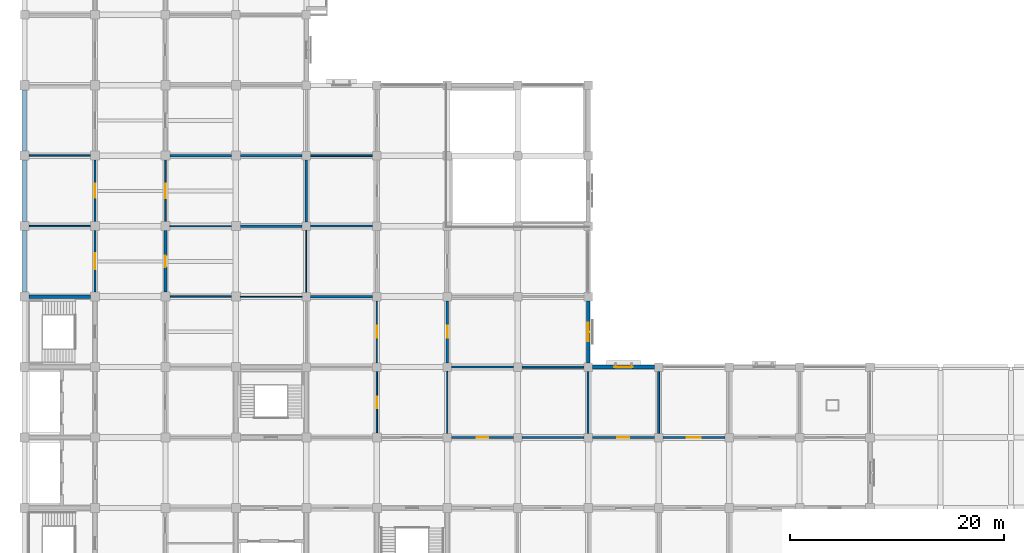
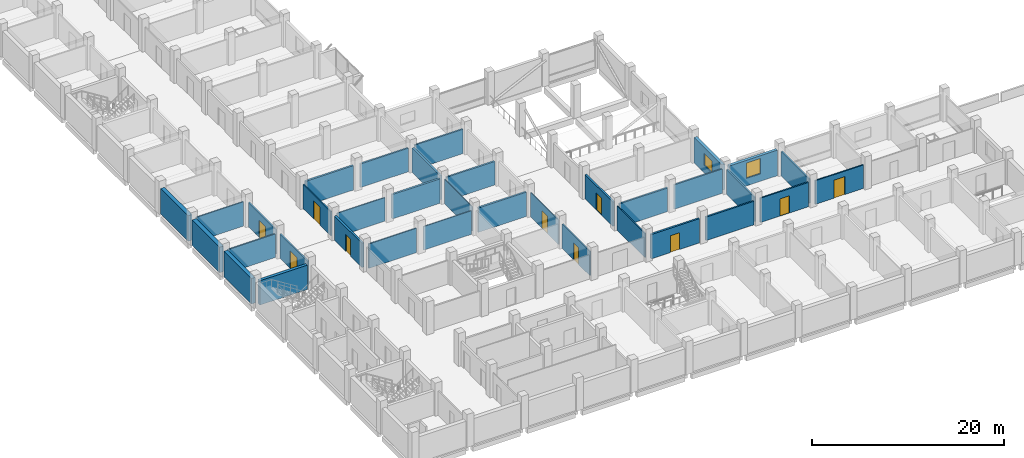
# One storey, part 19 of 30: 35 walls, 10 doors, 2 windows, 12 openings.
"""IFC4 building model written with IfcOpenShell, lengths in metres."""

import ifcopenshell
import ifcopenshell.guid

model = None  # the IFC model being written
_history = None  # IfcOwnerHistory: only IFC2X3 demands one
_inside = {}  # id of a spatial element -> (the spatial element, [elements in it])
_under = {}  # id of a project, library or spatial element -> (it, [spatial elements below it])
_declared = {}  # id of a project -> (the project, [libraries it declares])
_typed = {}  # id of a type object -> (the type object, [elements of that type])
_made_of = {}  # id of a material, layer set ... -> (it, [elements and type objects made of it])


def new_model(schema):
    """Start an empty IFC model of exactly this schema.

    Asked for "IFC4X3", IfcOpenShell would pick the latest addendum, in which some entities
    have other attributes; the version numbers below select the first issue.
    IFC2X3 requires an IfcOwnerHistory on every rooted entity: one is made here for all.
    """
    global model, _history
    if schema == "IFC4X3":
        model = ifcopenshell.file(schema_version=(4, 3, 0, 0))
    else:
        model = ifcopenshell.file(schema=schema)
    _inside.clear()
    _under.clear()
    _declared.clear()
    _typed.clear()
    _made_of.clear()
    _history = None
    if model.schema == "IFC2X3":
        org = make("IfcOrganization", Name="unknown")
        user = make(
            "IfcPersonAndOrganization",
            ThePerson=make("IfcPerson", FamilyName="unknown"),
            TheOrganization=org,
        )
        app = make(
            "IfcApplication",
            ApplicationDeveloper=org,
            Version="unknown",
            ApplicationFullName="unknown",
            ApplicationIdentifier="unknown",
        )
        _history = make(
            "IfcOwnerHistory",
            OwningUser=user,
            OwningApplication=app,
            ChangeAction="ADDED",
            CreationDate=0,
        )
    return model


def make(cls, **values):
    """One entity of the class cls with the attributes given. An attribute that is None is left unset."""
    return model.create_entity(
        cls, **{name: value for name, value in values.items() if value is not None}
    )


def rooted(cls, **values):
    """An entity with a GlobalId (a new one), such as an element, a storey or a relation."""
    return make(cls, GlobalId=ifcopenshell.guid.new(), OwnerHistory=_history, **values)


def si_unit(unit_type, name, prefix=None):
    """IfcSIUnit, for example si_unit("LENGTHUNIT", "METRE", prefix="MILLI")."""
    return make("IfcSIUnit", UnitType=unit_type, Prefix=prefix, Name=name)


def assignment(units):
    """IfcUnitAssignment: the units of a project."""
    return None if units is None else make("IfcUnitAssignment", Units=units)


def point(xyz):
    """IfcCartesianPoint."""
    return None if xyz is None else make("IfcCartesianPoint", Coordinates=xyz)


def direction(xyz):
    """IfcDirection."""
    return None if xyz is None else make("IfcDirection", DirectionRatios=xyz)


def frame(location, z_axis=None, x_axis=None):
    """IfcAxis2Placement3D, a coordinate frame: its origin and axes. An axis left out is left unset."""
    return make(
        "IfcAxis2Placement3D",
        Location=point(location),
        Axis=direction(z_axis),
        RefDirection=direction(x_axis),
    )


def frame_2d(location, x_axis=None):
    """IfcAxis2Placement2D, a coordinate frame in the plane: its origin and x axis."""
    return make(
        "IfcAxis2Placement2D", Location=point(location), RefDirection=direction(x_axis)
    )


def origin():
    """The frame at (0, 0, 0) with its axes left unset."""
    return frame((0.0, 0.0, 0.0))


def place(relative_to, where):
    """IfcLocalPlacement: puts the frame where relative to a parent placement (None: the world)."""
    return make(
        "IfcLocalPlacement", PlacementRelTo=relative_to, RelativePlacement=where
    )


def context(
    kind, dimensions, precision=None, world=None, true_north=None, identifier=None
):
    """IfcGeometricRepresentationContext, for example the 3D "Model" context."""
    return make(
        "IfcGeometricRepresentationContext",
        ContextIdentifier=identifier,
        ContextType=kind,
        CoordinateSpaceDimension=dimensions,
        Precision=precision,
        WorldCoordinateSystem=world,
        TrueNorth=true_north,
    )


def subcontext(parent, identifier, kind, view, scale=None):
    """IfcGeometricRepresentationSubContext, for example "Body" below "Model"."""
    return make(
        "IfcGeometricRepresentationSubContext",
        ContextIdentifier=identifier,
        ContextType=kind,
        ParentContext=parent,
        TargetScale=scale,
        TargetView=view,
    )


def project(units=None, contexts=None):
    """IfcProject with its units and contexts."""
    return rooted(
        "IfcProject",
        Name="project",
        RepresentationContexts=contexts,
        UnitsInContext=assignment(units),
    )


def spatial(cls, under=None, at=None, **own):
    """A site, building, storey or space (cls), placed at a placement, below another one or the project."""
    s = rooted(cls, ObjectPlacement=at, **own)
    if under is not None:
        _under.setdefault(under.id(), (under, []))[1].append(s)
    return s


def profile(cls, at=None, kind="AREA", **sizes):
    """A parametric profile (cls). Its sizes go by their IFC names, for example OverallWidth=200.0."""
    return make(cls, ProfileType=kind, Position=at, **sizes)


def rectangle(**sizes):
    """IfcRectangleProfileDef."""
    return profile("IfcRectangleProfileDef", **sizes)


def extrude(swept, where, along, depth):
    """IfcExtrudedAreaSolid: the profile swept, set in the frame where, extruded along a direction by depth."""
    return make(
        "IfcExtrudedAreaSolid",
        SweptArea=swept,
        Position=where,
        ExtrudedDirection=direction(along),
        Depth=depth,
    )


def shape(context_of_items, identifier, shape_type, items):
    """IfcShapeRepresentation: the items that make up one representation, for example the "Body"."""
    return make(
        "IfcShapeRepresentation",
        ContextOfItems=context_of_items,
        RepresentationIdentifier=identifier,
        RepresentationType=shape_type,
        Items=items,
    )


def material(Name=None, Category=None):
    """IfcMaterial."""
    return make("IfcMaterial", Name=Name, Category=Category)


def layer(
    of_material, thickness, ventilated=None, Name=None, Category=None, Priority=None
):
    """IfcMaterialLayer: one layer of a wall or slab, of a material (None: an air gap)."""
    return make(
        "IfcMaterialLayer",
        Material=of_material,
        LayerThickness=thickness,
        IsVentilated=ventilated,
        Name=Name,
        Category=Category,
        Priority=Priority,
    )


def layer_set(layers, Name=None):
    """IfcMaterialLayerSet."""
    return make("IfcMaterialLayerSet", MaterialLayers=layers, LayerSetName=Name)


def made_of(thing, what):
    """Note that an element or type object is made of a material, layer set ...; save() writes the relation."""
    if what is not None:
        _made_of.setdefault(what.id(), (what, []))[1].append(thing)
    return thing


def type_object(cls, material=None, **own):
    """A type object (cls), such as IfcWallType, which elements share."""
    return made_of(rooted(cls, **own), material)


def element(
    cls,
    number,
    at=None,
    inside=None,
    cuts=None,
    type_object=None,
    material=None,
    context=None,
    identifier="Body",
    shape_type=None,
    held_by="IfcProductDefinitionShape",
    body=None,
    shapes=None,
    **own,
):
    """One element of the class cls, such as IfcWall. Its Tag is "e" and its number.

    at: its placement. inside: the storey or other place that contains it. cuts: it is an
    opening in that element (IfcRelVoidsElement). A single representation is given by context,
    identifier, shape_type and body (its items); several are given by shapes. held_by: the class
    of the entity that holds the representations. save() writes the other relations.
    """
    e = rooted(cls, Tag="e%d" % number, ObjectPlacement=at, **own)
    if body is not None:
        shapes = [shape(context, identifier, shape_type, body)]
    if shapes is not None:
        e.Representation = make(held_by, Representations=shapes)
    if inside is not None:
        _inside.setdefault(inside.id(), (inside, []))[1].append(e)
    if cuts is not None:
        rooted(
            "IfcRelVoidsElement", RelatingBuildingElement=cuts, RelatedOpeningElement=e
        )
    if type_object is not None:
        _typed.setdefault(type_object.id(), (type_object, []))[1].append(e)
    return made_of(e, material)


def fill(opening, filler):
    """IfcRelFillsElement: the door or window that sits in an opening."""
    return rooted(
        "IfcRelFillsElement",
        RelatingOpeningElement=opening,
        RelatedBuildingElement=filler,
    )


def aggregate(whole, parts):
    """IfcRelAggregates: a whole, such as a stair, and the parts it consists of."""
    return rooted("IfcRelAggregates", RelatingObject=whole, RelatedObjects=parts)


def save(model, path):
    """Write the relations noted so far, then the file.

    IfcRelAggregates (storeys below a building ...), IfcRelContainedInSpatialStructure (elements
    in a storey), IfcRelDefinesByType, IfcRelAssociatesMaterial and IfcRelDeclares: one each for
    every whole, place, type object, material and project.
    """
    for whole, parts in _under.values():
        aggregate(whole, parts)
    for where, things in _inside.values():
        rooted(
            "IfcRelContainedInSpatialStructure",
            RelatedElements=things,
            RelatingStructure=where,
        )
    for kind, things in _typed.values():
        rooted("IfcRelDefinesByType", RelatedObjects=things, RelatingType=kind)
    for what, things in _made_of.values():
        rooted("IfcRelAssociatesMaterial", RelatedObjects=things, RelatingMaterial=what)
    for by, libraries in _declared.values():
        rooted("IfcRelDeclares", RelatingContext=by, RelatedDefinitions=libraries)
    model.write(path)


model = new_model("IFC4")

# Units and contexts
model_context = context("Model", 3, precision=1e-05, world=origin(), true_north=direction((0.0, 1.0)))
body_context = subcontext(model_context, "Body", "Model", "MODEL_VIEW")
ifc_project = project(units=[si_unit("LENGTHUNIT", "METRE"), si_unit("AREAUNIT", "SQUARE_METRE"), si_unit("VOLUMEUNIT", "CUBIC_METRE"), si_unit("PLANEANGLEUNIT", "RADIAN"), si_unit("MASSUNIT", "GRAM", prefix="KILO")], contexts=[model_context])

# Site, building, storey
site_placement = place(None, origin())
site = spatial("IfcSite", under=ifc_project, at=site_placement, CompositionType="ELEMENT")
building_placement = place(site_placement, origin())
building = spatial("IfcBuilding", under=site, at=building_placement, Name="Rusizi Kubbe Research Institute", CompositionType="ELEMENT")
storey_placement = place(building_placement, frame((0.0, 0.0, 10.199951171875)))
storey = spatial("IfcBuildingStorey", under=building, at=storey_placement, Name="L02", CompositionType="ELEMENT", Elevation=10.199951171875)

# Wall
ifc_material_1 = material(Name="Concrete C45/55", Category="concrete")
ifc_layer_1 = layer(ifc_material_1, 0.35009765625)
ifc_layer_set_1 = layer_set([ifc_layer_1], Name="Concrete C45/55")
wall_type_1 = type_object("IfcWallType", Name="CRW-01", PredefinedType="SHEAR", material=ifc_layer_set_1)
wall_1_placement = place(storey_placement, frame((0.425048828125, 33.0, 0.0), z_axis=(0.0, 0.0, 1.0), x_axis=(1.0, 0.0, 0.0)))
element("IfcWall", 1, at=wall_1_placement, inside=storey, type_object=wall_type_1, Name="Stair Core Shear Wall ST2 L02 N", PredefinedType="SHEAR", context=body_context, shape_type="SweptSolid", body=[
    extrude(rectangle(XDim=5.75, YDim=0.35009765625, at=frame_2d((2.875, 0.0))), origin(), (0.0, 0.0, 1.0), 3.10009765625),
])

# Wall, opening, window
ifc_material_2 = material(Name="Volcanic Basalt Ashlar Masonry", Category="masonry")
ifc_layer_2 = layer(ifc_material_2, 0.35498046875)
ifc_layer_set_2 = layer_set([ifc_layer_2], Name="Volcanic Basalt Ashlar Masonry")
wall_type_2 = type_object("IfcWallType", Name="EW-06", PredefinedType="SOLIDWALL", material=ifc_layer_set_2)
wall_2_placement = place(storey_placement, frame((52.800048828125, 26.800048828125, 0.0), z_axis=(0.0, 0.0, 1.0), x_axis=(0.0, 1.0, 0.0)))
wall_2 = element("IfcWall", 2, at=wall_2_placement, inside=storey, type_object=wall_type_2, Name="Ablaq Stone Exterior Wall L02 V8-4", PredefinedType="SOLIDWALL", context=body_context, shape_type="SweptSolid", body=[
    extrude(rectangle(XDim=5.800048828125, YDim=0.35498046875, at=frame_2d((2.89990234375, 0.0))), origin(), (0.0, 0.0, 1.0), 3.25),
])
opening_1_placement = place(wall_2_placement, frame((2.0400390625, 0.0, 0.949951171875)))
opening_1 = element("IfcOpeningElement", 3, at=opening_1_placement, cuts=wall_2, Name="Opening WN-22", PredefinedType="OPENING", context=body_context, shape_type="SweptSolid", body=[
    extrude(rectangle(XDim=1.719970703125, YDim=1.52001953125, at=frame_2d((0.85986328125, 0.760009765625))), frame((0.0, 0.1875, 0.0), z_axis=(0.0, -1.0, 0.0), x_axis=(1.0, 0.0, 0.0)), (0.0, 0.0, 1.0), 0.375),
])
ifc_material_3 = material(Name="Aluminium Frame and Solar-Control Double Glazing", Category="glass")
window_type_1 = type_object("IfcWindowType", Name="WN-22", PartitioningType="DOUBLE_PANEL_VERTICAL", PredefinedType="WINDOW", material=ifc_material_3)
window_1_placement = place(opening_1_placement, origin())
window_1 = element("IfcWindow", 4, at=window_1_placement, inside=storey, type_object=window_type_1, Name="Casement Window WN-22 L02", OverallHeight=1.52001953125, OverallWidth=1.719970703125, PartitioningType="DOUBLE_PANEL_VERTICAL", PredefinedType="WINDOW", context=body_context, shape_type="SweptSolid", body=[
    extrude(rectangle(XDim=1.719970703125, YDim=1.52001953125, at=frame_2d((0.85986328125, 0.760009765625))), frame((0.0, 0.030029296875, 0.0), z_axis=(0.0, -1.0, 0.0), x_axis=(1.0, 0.0, 0.0)), (0.0, 0.0, 1.0), 0.06005859375),
])
fill(opening_1, window_1)

wall_3_placement = place(storey_placement, frame((53.199951171875, 26.39990234375, 0.0), z_axis=(0.0, 0.0, 1.0), x_axis=(1.0, 0.0, 0.0)))
wall_3 = element("IfcWall", 5, at=wall_3_placement, inside=storey, type_object=wall_type_2, Name="Ablaq Stone Exterior Wall L02 H8-4", PredefinedType="SOLIDWALL", context=body_context, shape_type="SweptSolid", body=[
    extrude(rectangle(XDim=5.800048828125, YDim=0.35498046875, at=frame_2d((2.89990234375, 0.0))), origin(), (0.0, 0.0, 1.0), 3.25),
])
opening_2_placement = place(wall_3_placement, frame((2.0400390625, 0.0, 0.949951171875)))
opening_2 = element("IfcOpeningElement", 6, at=opening_2_placement, cuts=wall_3, Name="Opening WN-24", PredefinedType="OPENING", context=body_context, shape_type="SweptSolid", body=[
    extrude(rectangle(XDim=1.719970703125, YDim=1.9599609375, at=frame_2d((0.85986328125, 0.97998046875))), frame((0.0, 0.1875, 0.0), z_axis=(0.0, -1.0, 0.0), x_axis=(1.0, 0.0, 0.0)), (0.0, 0.0, 1.0), 0.375),
])
ifc_material_4 = material(Name="Aluminium Frame and Solar-Control Double Glazing", Category="glass")
window_type_2 = type_object("IfcWindowType", Name="WN-24", PartitioningType="DOUBLE_PANEL_VERTICAL", PredefinedType="WINDOW", material=ifc_material_4)
window_2_placement = place(opening_2_placement, origin())
window_2 = element("IfcWindow", 7, at=window_2_placement, inside=storey, type_object=window_type_2, Name="Casement Window WN-24 L02", OverallHeight=1.9599609375, OverallWidth=1.719970703125, PartitioningType="DOUBLE_PANEL_VERTICAL", PredefinedType="WINDOW", context=body_context, shape_type="SweptSolid", body=[
    extrude(rectangle(XDim=1.719970703125, YDim=1.9599609375, at=frame_2d((0.85986328125, 0.97998046875))), frame((0.0, 0.030029296875, 0.0), z_axis=(0.0, -1.0, 0.0), x_axis=(1.0, 0.0, 0.0)), (0.0, 0.0, 1.0), 0.06005859375),
])
fill(opening_2, window_2)

# Walls
ifc_material_5 = material(Name="Concrete Blockwork Fire Partition", Category="masonry")
ifc_layer_3 = layer(ifc_material_5, 0.22509765625)
ifc_layer_set_3 = layer_set([ifc_layer_3], Name="Concrete Blockwork Fire Partition")
wall_type_3 = type_object("IfcWallType", Name="IW-01", PredefinedType="PARTITIONING", material=ifc_layer_set_3)
wall_4_placement = place(storey_placement, frame((13.625, 46.199951171875, 0.0), z_axis=(0.0, 0.0, 1.0), x_axis=(1.0, 0.0, 0.0)))
element("IfcWall", 8, at=wall_4_placement, inside=storey, type_object=wall_type_3, Name="Interior Partition Wall L02 H2-7", PredefinedType="PARTITIONING", context=body_context, shape_type="SweptSolid", body=[
    extrude(rectangle(XDim=5.75, YDim=0.22509765625, at=frame_2d((2.875, 0.0))), origin(), (0.0, 0.0, 1.0), 3.10009765625),
])
wall_5_placement = place(storey_placement, frame((20.22509765625, 39.60009765625, 0.0), z_axis=(0.0, 0.0, 1.0), x_axis=(1.0, 0.0, 0.0)))
element("IfcWall", 9, at=wall_5_placement, inside=storey, type_object=wall_type_3, Name="Interior Partition Wall L02 H3-6", PredefinedType="PARTITIONING", context=body_context, shape_type="SweptSolid", body=[
    extrude(rectangle(XDim=5.77490234375, YDim=0.22509765625, at=frame_2d((2.887451171875, 0.0))), origin(), (0.0, 0.0, 1.0), 3.10009765625),
])
for number, where, z_axis, x_axis, name in (
    (10, (26.39990234375, 40.0, 0.0), (0.0, 0.0, 1.0), (0.0, 1.0, 0.0), "Interior Partition Wall L02 V4-6"),
    (11, (26.800048828125, 33.0, 0.0), (0.0, 0.0, 1.0), (1.0, 0.0, 0.0), "Interior Partition Wall L02 H4-5"),
):
    element("IfcWall", number, at=place(storey_placement, frame(where, z_axis=z_axis, x_axis=x_axis)), inside=storey, type_object=wall_type_3, Name=name, PredefinedType="PARTITIONING", context=body_context, shape_type="SweptSolid", body=[
        extrude(rectangle(XDim=5.800048828125, YDim=0.22509765625, at=frame_2d((2.89990234375, 0.0))), origin(), (0.0, 0.0, 1.0), 3.10009765625),
    ])

# Wall, opening, door
wall_6_placement = place(storey_placement, frame((39.60009765625, 26.800048828125, 0.0), z_axis=(0.0, 0.0, 1.0), x_axis=(0.0, 1.0, 0.0)))
wall_6 = element("IfcWall", 12, at=wall_6_placement, inside=storey, type_object=wall_type_3, Name="Interior Partition Wall L02 V6-4", PredefinedType="PARTITIONING", context=body_context, shape_type="SweptSolid", body=[
    extrude(rectangle(XDim=5.800048828125, YDim=0.22509765625, at=frame_2d((2.89990234375, 0.0))), origin(), (0.0, 0.0, 1.0), 3.10009765625),
])
opening_3_placement = place(wall_6_placement, frame((2.340087890625, 0.0, 0.0)))
opening_3 = element("IfcOpeningElement", 13, at=opening_3_placement, cuts=wall_6, Name="Opening D-18", PredefinedType="OPENING", context=body_context, shape_type="SweptSolid", body=[
    extrude(rectangle(XDim=1.1201171875, YDim=2.199951171875, at=frame_2d((0.56005859375, 1.10009765625))), frame((0.0, 0.12255859375, 0.0), z_axis=(0.0, -1.0, 0.0), x_axis=(1.0, 0.0, 0.0)), (0.0, 0.0, 1.0), 0.2451171875),
])
ifc_material_6 = material(Name="Fire-Rated Steel Frame and Acoustic Timber Leaf", Category="wood")
door_type_1 = type_object("IfcDoorType", Name="ID-OFF-112", OperationType="NOTDEFINED", PredefinedType="DOOR", material=ifc_material_6)
door_1_placement = place(opening_3_placement, origin())
door_1 = element("IfcDoor", 14, at=door_1_placement, inside=storey, type_object=door_type_1, Name="Door to Write-up Office (L02-ELBE-04)", OperationType="SINGLE_SWING_LEFT", OverallHeight=2.199951171875, OverallWidth=1.1201171875, PredefinedType="DOOR", context=body_context, shape_type="SweptSolid", body=[
    extrude(rectangle(XDim=1.1201171875, YDim=2.199951171875, at=frame_2d((0.56005859375, 1.10009765625))), frame((0.0, 0.02490234375, 0.0), z_axis=(0.0, -1.0, 0.0), x_axis=(1.0, 0.0, 0.0)), (0.0, 0.0, 1.0), 0.050048828125),
])
fill(opening_3, door_1)

wall_7_placement = place(storey_placement, frame((40.0, 19.800048828125, 0.0), z_axis=(0.0, 0.0, 1.0), x_axis=(1.0, 0.0, 0.0)))
wall_7 = element("IfcWall", 15, at=wall_7_placement, inside=storey, type_object=wall_type_3, Name="Interior Partition Wall L02 H6-3", PredefinedType="PARTITIONING", context=body_context, shape_type="SweptSolid", body=[
    extrude(rectangle(XDim=5.800048828125, YDim=0.22509765625, at=frame_2d((2.89990234375, 0.0))), origin(), (0.0, 0.0, 1.0), 3.10009765625),
])
opening_4_placement = place(wall_7_placement, frame((2.360107421875, 0.0, 0.0)))
opening_4 = element("IfcOpeningElement", 16, at=opening_4_placement, cuts=wall_7, Name="Opening D-17", PredefinedType="OPENING", context=body_context, shape_type="SweptSolid", body=[
    extrude(rectangle(XDim=1.080078125, YDim=2.14990234375, at=frame_2d((0.5400390625, 1.074951171875))), frame((0.0, 0.12255859375, 0.0), z_axis=(0.0, -1.0, 0.0), x_axis=(1.0, 0.0, 0.0)), (0.0, 0.0, 1.0), 0.2451171875),
])
ifc_material_7 = material(Name="Fire-Rated Steel Frame and Acoustic Timber Leaf", Category="wood")
door_type_2 = type_object("IfcDoorType", Name="ID-OFF-108", OperationType="NOTDEFINED", PredefinedType="DOOR", material=ifc_material_7)
door_2_placement = place(opening_4_placement, origin())
door_2 = element("IfcDoor", 17, at=door_2_placement, inside=storey, type_object=door_type_2, Name="Door to Write-up Office (L02-ELBE-03)", OperationType="SINGLE_SWING_RIGHT", OverallHeight=2.14990234375, OverallWidth=1.080078125, PredefinedType="DOOR", context=body_context, shape_type="SweptSolid", body=[
    extrude(rectangle(XDim=1.080078125, YDim=2.14990234375, at=frame_2d((0.5400390625, 1.074951171875))), frame((0.0, 0.02490234375, 0.0), z_axis=(0.0, -1.0, 0.0), x_axis=(1.0, 0.0, 0.0)), (0.0, 0.0, 1.0), 0.050048828125),
])
fill(opening_4, door_2)

# Walls
ifc_material_8 = material(Name="Insulated Cleanroom Partition", Category="masonry")
ifc_layer_4 = layer(ifc_material_8, 0.195068359375)
ifc_layer_set_4 = layer_set([ifc_layer_4], Name="Insulated Cleanroom Partition")
wall_type_4 = type_object("IfcWallType", Name="IW-02", PredefinedType="PARTITIONING", material=ifc_layer_set_4)
wall_8_placement = place(storey_placement, frame((20.22509765625, 46.199951171875, 0.0), z_axis=(0.0, 0.0, 1.0), x_axis=(1.0, 0.0, 0.0)))
element("IfcWall", 18, at=wall_8_placement, inside=storey, type_object=wall_type_4, Name="Interior Partition Wall L02 H3-7", PredefinedType="PARTITIONING", context=body_context, shape_type="SweptSolid", body=[
    extrude(rectangle(XDim=5.77490234375, YDim=0.195068359375, at=frame_2d((2.887451171875, 0.0))), origin(), (0.0, 0.0, 1.0), 3.0),
])
for number, where, z_axis, x_axis, name in (
    (19, (26.800048828125, 39.60009765625, 0.0), (0.0, 0.0, 1.0), (1.0, 0.0, 0.0), "Interior Partition Wall L02 H4-6"),
    (20, (40.0, 26.39990234375, 0.0), (0.0, 0.0, 1.0), (1.0, 0.0, 0.0), "Interior Partition Wall L02 H6-4"),
):
    element("IfcWall", number, at=place(storey_placement, frame(where, z_axis=z_axis, x_axis=x_axis)), inside=storey, type_object=wall_type_4, Name=name, PredefinedType="PARTITIONING", context=body_context, shape_type="SweptSolid", body=[
        extrude(rectangle(XDim=5.800048828125, YDim=0.195068359375, at=frame_2d((2.89990234375, 0.0))), origin(), (0.0, 0.0, 1.0), 3.0),
    ])
wall_9_placement = place(storey_placement, frame((46.60009765625, 19.800048828125, 0.0), z_axis=(0.0, 0.0, 1.0), x_axis=(1.0, 0.0, 0.0)))
element("IfcWall", 21, at=wall_9_placement, inside=storey, type_object=wall_type_4, Name="Interior Partition Wall L02 H7-3", PredefinedType="PARTITIONING", context=body_context, shape_type="SweptSolid", body=[
    extrude(rectangle(XDim=5.7998046875, YDim=0.195068359375, at=frame_2d((2.89990234375, 0.0))), origin(), (0.0, 0.0, 1.0), 3.0),
])
wall_10_placement = place(storey_placement, frame((52.800048828125, 20.199951171875, 0.0), z_axis=(0.0, 0.0, 1.0), x_axis=(0.0, 1.0, 0.0)))
element("IfcWall", 22, at=wall_10_placement, inside=storey, type_object=wall_type_4, Name="Interior Partition Wall L02 V8-3", PredefinedType="PARTITIONING", context=body_context, shape_type="SweptSolid", body=[
    extrude(rectangle(XDim=5.800048828125, YDim=0.195068359375, at=frame_2d((2.89990234375, 0.0))), origin(), (0.0, 0.0, 1.0), 3.10009765625),
])

# Wall, opening, door
ifc_material_9 = material(Name="Acoustic Laboratory Partition", Category="masonry")
ifc_layer_5 = layer(ifc_material_9, 0.175048828125)
ifc_layer_set_5 = layer_set([ifc_layer_5], Name="Acoustic Laboratory Partition")
wall_type_5 = type_object("IfcWallType", Name="IW-03", PredefinedType="PARTITIONING", material=ifc_layer_set_5)
wall_11_placement = place(storey_placement, frame((6.60009765625, 33.425048828125, 0.0), z_axis=(0.0, 0.0, 1.0), x_axis=(0.0, 1.0, 0.0)))
wall_11 = element("IfcWall", 23, at=wall_11_placement, inside=storey, type_object=wall_type_5, Name="Interior Partition Wall L02 V1-5", PredefinedType="PARTITIONING", context=body_context, shape_type="SweptSolid", body=[
    extrude(rectangle(XDim=5.75, YDim=0.175048828125, at=frame_2d((2.875, 0.0))), origin(), (0.0, 0.0, 1.0), 3.10009765625),
])
opening_5_placement = place(wall_11_placement, frame((2.135009765625, 0.0, 0.0)))
opening_5 = element("IfcOpeningElement", 24, at=opening_5_placement, cuts=wall_11, Name="Opening LD-08", PredefinedType="OPENING", context=body_context, shape_type="SweptSolid", body=[
    extrude(rectangle(XDim=1.47998046875, YDim=2.25, at=frame_2d((0.739990234375, 1.125))), frame((0.0, 0.097412109375, 0.0), z_axis=(0.0, -1.0, 0.0), x_axis=(1.0, 0.0, 0.0)), (0.0, 0.0, 1.0), 0.195068359375),
])
ifc_material_10 = material(Name="Brushed Stainless Steel Sliding Door", Category="steel")
door_type_3 = type_object("IfcDoorType", Name="LD-08", OperationType="DOUBLE_DOOR_SLIDING", PredefinedType="USERDEFINED", material=ifc_material_10)
door_3_placement = place(opening_5_placement, origin())
door_3 = element("IfcDoor", 25, at=door_3_placement, inside=storey, type_object=door_type_3, Name="Door to Clean Room Gowning Airlock (L02-ALK-05)", ObjectType="SLIDING DOOR", OperationType="DOUBLE_DOOR_SLIDING", OverallHeight=2.25, OverallWidth=1.47998046875, PredefinedType="USERDEFINED", context=body_context, shape_type="SweptSolid", body=[
    extrude(rectangle(XDim=1.47998046875, YDim=2.25, at=frame_2d((0.739990234375, 1.125))), frame((0.0, 0.02490234375, 0.0), z_axis=(0.0, -1.0, 0.0), x_axis=(1.0, 0.0, 0.0)), (0.0, 0.0, 1.0), 0.050048828125),
])
fill(opening_5, door_3)

# Walls
wall_12_placement = place(storey_placement, frame((26.800048828125, 46.199951171875, 0.0), z_axis=(0.0, 0.0, 1.0), x_axis=(1.0, 0.0, 0.0)))
element("IfcWall", 26, at=wall_12_placement, inside=storey, type_object=wall_type_5, Name="Interior Partition Wall L02 H4-7", PredefinedType="PARTITIONING", context=body_context, shape_type="SweptSolid", body=[
    extrude(rectangle(XDim=5.800048828125, YDim=0.175048828125, at=frame_2d((2.89990234375, 0.0))), origin(), (0.0, 0.0, 1.0), 3.10009765625),
])
wall_13_placement = place(storey_placement, frame((46.60009765625, 26.39990234375, 0.0), z_axis=(0.0, 0.0, 1.0), x_axis=(1.0, 0.0, 0.0)))
element("IfcWall", 27, at=wall_13_placement, inside=storey, type_object=wall_type_5, Name="Interior Partition Wall L02 H7-4", PredefinedType="PARTITIONING", context=body_context, shape_type="SweptSolid", body=[
    extrude(rectangle(XDim=5.7998046875, YDim=0.175048828125, at=frame_2d((2.89990234375, 0.0))), origin(), (0.0, 0.0, 1.0), 3.10009765625),
])

# Wall, opening, door
wall_14_placement = place(storey_placement, frame((53.199951171875, 19.800048828125, 0.0), z_axis=(0.0, 0.0, 1.0), x_axis=(1.0, 0.0, 0.0)))
wall_14 = element("IfcWall", 28, at=wall_14_placement, inside=storey, type_object=wall_type_5, Name="Interior Partition Wall L02 H8-3", PredefinedType="PARTITIONING", context=body_context, shape_type="SweptSolid", body=[
    extrude(rectangle(XDim=5.800048828125, YDim=0.175048828125, at=frame_2d((2.89990234375, 0.0))), origin(), (0.0, 0.0, 1.0), 3.10009765625),
])
opening_6_placement = place(wall_14_placement, frame((2.340087890625, 0.0, 0.0)))
opening_6 = element("IfcOpeningElement", 29, at=opening_6_placement, cuts=wall_14, Name="Opening D-18", PredefinedType="OPENING", context=body_context, shape_type="SweptSolid", body=[
    extrude(rectangle(XDim=1.1201171875, YDim=2.199951171875, at=frame_2d((0.56005859375, 1.10009765625))), frame((0.0, 0.097412109375, 0.0), z_axis=(0.0, -1.0, 0.0), x_axis=(1.0, 0.0, 0.0)), (0.0, 0.0, 1.0), 0.195068359375),
])
door_4_placement = place(opening_6_placement, origin())
door_4 = element("IfcDoor", 30, at=door_4_placement, inside=storey, type_object=door_type_1, Name="Door to Write-up Office (L02-EWN-01)", OperationType="SINGLE_SWING_LEFT", OverallHeight=2.199951171875, OverallWidth=1.1201171875, PredefinedType="DOOR", context=body_context, shape_type="SweptSolid", body=[
    extrude(rectangle(XDim=1.1201171875, YDim=2.199951171875, at=frame_2d((0.56005859375, 1.10009765625))), frame((0.0, 0.02490234375, 0.0), z_axis=(0.0, -1.0, 0.0), x_axis=(1.0, 0.0, 0.0)), (0.0, 0.0, 1.0), 0.050048828125),
])
fill(opening_6, door_4)

# Walls
wall_15_placement = place(storey_placement, frame((59.39990234375, 20.199951171875, 0.0), z_axis=(0.0, 0.0, 1.0), x_axis=(0.0, 1.0, 0.0)))
element("IfcWall", 31, at=wall_15_placement, inside=storey, type_object=wall_type_5, Name="Interior Partition Wall L02 V9-3", PredefinedType="PARTITIONING", context=body_context, shape_type="SweptSolid", body=[
    extrude(rectangle(XDim=5.800048828125, YDim=0.175048828125, at=frame_2d((2.89990234375, 0.0))), origin(), (0.0, 0.0, 1.0), 3.10009765625),
])
ifc_material_11 = material(Name="Fire-Rated Corridor Partition", Category="masonry")
ifc_layer_6 = layer(ifc_material_11, 0.155029296875)
ifc_layer_set_6 = layer_set([ifc_layer_6], Name="Fire-Rated Corridor Partition")
wall_type_6 = type_object("IfcWallType", Name="IW-04", PredefinedType="PARTITIONING", material=ifc_layer_set_6)
wall_16_placement = place(storey_placement, frame((0.425048828125, 39.60009765625, 0.0), z_axis=(0.0, 0.0, 1.0), x_axis=(1.0, 0.0, 0.0)))
element("IfcWall", 32, at=wall_16_placement, inside=storey, type_object=wall_type_6, Name="Interior Partition Wall L02 H0-6", PredefinedType="PARTITIONING", context=body_context, shape_type="SweptSolid", body=[
    extrude(rectangle(XDim=5.75, YDim=0.155029296875, at=frame_2d((2.875, 0.0))), origin(), (0.0, 0.0, 1.0), 3.0),
])

# Wall, opening, door
wall_17_placement = place(storey_placement, frame((6.60009765625, 40.02490234375, 0.0), z_axis=(0.0, 0.0, 1.0), x_axis=(0.0, 1.0, 0.0)))
wall_17 = element("IfcWall", 33, at=wall_17_placement, inside=storey, type_object=wall_type_6, Name="Interior Partition Wall L02 V1-6", PredefinedType="PARTITIONING", context=body_context, shape_type="SweptSolid", body=[
    extrude(rectangle(XDim=5.75, YDim=0.155029296875, at=frame_2d((2.875, 0.0))), origin(), (0.0, 0.0, 1.0), 3.10009765625),
])
opening_7_placement = place(wall_17_placement, frame((2.215087890625, 0.0, 0.0)))
opening_7 = element("IfcOpeningElement", 34, at=opening_7_placement, cuts=wall_17, Name="Opening LD-07", PredefinedType="OPENING", context=body_context, shape_type="SweptSolid", body=[
    extrude(rectangle(XDim=1.320068359375, YDim=2.199951171875, at=frame_2d((0.66015625, 1.10009765625))), frame((0.0, 0.08740234375, 0.0), z_axis=(0.0, -1.0, 0.0), x_axis=(1.0, 0.0, 0.0)), (0.0, 0.0, 1.0), 0.175048828125),
])
ifc_material_12 = material(Name="Brushed Stainless Steel Sliding Door", Category="steel")
door_type_4 = type_object("IfcDoorType", Name="LD-07", OperationType="DOUBLE_DOOR_SLIDING", PredefinedType="USERDEFINED", material=ifc_material_12)
door_5_placement = place(opening_7_placement, origin())
door_5 = element("IfcDoor", 35, at=door_5_placement, inside=storey, type_object=door_type_4, Name="Door to ISO-6 Clean Room Suite (L02-CR-06)", ObjectType="SLIDING DOOR", OperationType="DOUBLE_DOOR_SLIDING", OverallHeight=2.199951171875, OverallWidth=1.320068359375, PredefinedType="USERDEFINED", context=body_context, shape_type="SweptSolid", body=[
    extrude(rectangle(XDim=1.320068359375, YDim=2.199951171875, at=frame_2d((0.66015625, 1.10009765625))), frame((0.0, 0.02490234375, 0.0), z_axis=(0.0, -1.0, 0.0), x_axis=(1.0, 0.0, 0.0)), (0.0, 0.0, 1.0), 0.050048828125),
])
fill(opening_7, door_5)

wall_18_placement = place(storey_placement, frame((59.800048828125, 19.800048828125, 0.0), z_axis=(0.0, 0.0, 1.0), x_axis=(1.0, 0.0, 0.0)))
wall_18 = element("IfcWall", 36, at=wall_18_placement, inside=storey, type_object=wall_type_6, Name="Interior Partition Wall L02 H9-3", PredefinedType="PARTITIONING", context=body_context, shape_type="SweptSolid", body=[
    extrude(rectangle(XDim=5.800048828125, YDim=0.155029296875, at=frame_2d((2.89990234375, 0.0))), origin(), (0.0, 0.0, 1.0), 3.0),
])
opening_8_placement = place(wall_18_placement, frame((2.25, 0.0, 0.0)))
opening_8 = element("IfcOpeningElement", 37, at=opening_8_placement, cuts=wall_18, Name="Opening D-14", PredefinedType="OPENING", context=body_context, shape_type="SweptSolid", body=[
    extrude(rectangle(XDim=1.300048828125, YDim=2.300048828125, at=frame_2d((0.64990234375, 1.14990234375))), frame((0.0, 0.08740234375, 0.0), z_axis=(0.0, -1.0, 0.0), x_axis=(1.0, 0.0, 0.0)), (0.0, 0.0, 1.0), 0.175048828125),
])
ifc_material_13 = material(Name="Fire-Rated Steel Frame and Acoustic Timber Leaf", Category="wood")
door_type_5 = type_object("IfcDoorType", Name="ID-LAB-130", OperationType="NOTDEFINED", PredefinedType="DOOR", material=ifc_material_13)
door_6_placement = place(opening_8_placement, origin())
door_6 = element("IfcDoor", 38, at=door_6_placement, inside=storey, type_object=door_type_5, Name="Door to Molecular Diagnostics Laboratory (L02-EWN-02)", OperationType="SINGLE_SWING_RIGHT", OverallHeight=2.300048828125, OverallWidth=1.300048828125, PredefinedType="DOOR", context=body_context, shape_type="SweptSolid", body=[
    extrude(rectangle(XDim=1.300048828125, YDim=2.300048828125, at=frame_2d((0.64990234375, 1.14990234375))), frame((0.0, 0.02490234375, 0.0), z_axis=(0.0, -1.0, 0.0), x_axis=(1.0, 0.0, 0.0)), (0.0, 0.0, 1.0), 0.050048828125),
])
fill(opening_8, door_6)

# Wall
ifc_material_14 = material(Name="Write-up Glazed Acoustic Partition", Category="masonry")
ifc_layer_7 = layer(ifc_material_14, 0.139892578125)
ifc_layer_set_7 = layer_set([ifc_layer_7], Name="Write-up Glazed Acoustic Partition")
wall_type_7 = type_object("IfcWallType", Name="IW-05", PredefinedType="PARTITIONING", material=ifc_layer_set_7)
wall_19_placement = place(storey_placement, frame((0.425048828125, 46.199951171875, 0.0), z_axis=(0.0, 0.0, 1.0), x_axis=(1.0, 0.0, 0.0)))
element("IfcWall", 39, at=wall_19_placement, inside=storey, type_object=wall_type_7, Name="Interior Partition Wall L02 H0-7", PredefinedType="PARTITIONING", context=body_context, shape_type="SweptSolid", body=[
    extrude(rectangle(XDim=5.75, YDim=0.139892578125, at=frame_2d((2.875, 0.0))), origin(), (0.0, 0.0, 1.0), 3.10009765625),
])

# Wall, opening, door
wall_20_placement = place(storey_placement, frame((13.199951171875, 40.02490234375, 0.0), z_axis=(0.0, 0.0, 1.0), x_axis=(0.0, 1.0, 0.0)))
wall_20 = element("IfcWall", 40, at=wall_20_placement, inside=storey, type_object=wall_type_7, Name="Interior Partition Wall L02 V2-6", PredefinedType="PARTITIONING", context=body_context, shape_type="SweptSolid", body=[
    extrude(rectangle(XDim=5.75, YDim=0.139892578125, at=frame_2d((2.875, 0.0))), origin(), (0.0, 0.0, 1.0), 3.10009765625),
])
opening_9_placement = place(wall_20_placement, frame((2.199951171875, 0.0, 0.0)))
opening_9 = element("IfcOpeningElement", 41, at=opening_9_placement, cuts=wall_20, Name="Opening D-13", PredefinedType="OPENING", context=body_context, shape_type="SweptSolid", body=[
    extrude(rectangle(XDim=1.35009765625, YDim=2.300048828125, at=frame_2d((0.675048828125, 1.14990234375))), frame((0.0, 0.079833984375, 0.0), z_axis=(0.0, -1.0, 0.0), x_axis=(1.0, 0.0, 0.0)), (0.0, 0.0, 1.0), 0.159912109375),
])
ifc_material_15 = material(Name="Fire-Rated Steel Frame and Acoustic Timber Leaf", Category="wood")
door_type_6 = type_object("IfcDoorType", Name="ID-LAB-135", OperationType="NOTDEFINED", PredefinedType="DOOR", material=ifc_material_15)
door_7_placement = place(opening_9_placement, origin())
door_7 = element("IfcDoor", 42, at=door_7_placement, inside=storey, type_object=door_type_6, Name="Door to Bioscience Wet Laboratory (L02-NW-04)", OperationType="SINGLE_SWING_LEFT", OverallHeight=2.300048828125, OverallWidth=1.35009765625, PredefinedType="DOOR", context=body_context, shape_type="SweptSolid", body=[
    extrude(rectangle(XDim=1.35009765625, YDim=2.300048828125, at=frame_2d((0.675048828125, 1.14990234375))), frame((0.0, 0.02490234375, 0.0), z_axis=(0.0, -1.0, 0.0), x_axis=(1.0, 0.0, 0.0)), (0.0, 0.0, 1.0), 0.050048828125),
])
fill(opening_9, door_7)

# Wall
wall_21_placement = place(storey_placement, frame((13.625, 33.0, 0.0), z_axis=(0.0, 0.0, 1.0), x_axis=(1.0, 0.0, 0.0)))
element("IfcWall", 43, at=wall_21_placement, inside=storey, type_object=wall_type_7, Name="Interior Partition Wall L02 H2-5", PredefinedType="PARTITIONING", context=body_context, shape_type="SweptSolid", body=[
    extrude(rectangle(XDim=5.75, YDim=0.139892578125, at=frame_2d((2.875, 0.0))), origin(), (0.0, 0.0, 1.0), 3.10009765625),
])

# Wall, opening, door
wall_22_placement = place(storey_placement, frame((33.0, 20.22509765625, 0.0), z_axis=(0.0, 0.0, 1.0), x_axis=(0.0, 1.0, 0.0)))
wall_22 = element("IfcWall", 44, at=wall_22_placement, inside=storey, type_object=wall_type_7, Name="Interior Partition Wall L02 V5-3", PredefinedType="PARTITIONING", context=body_context, shape_type="SweptSolid", body=[
    extrude(rectangle(XDim=5.77490234375, YDim=0.139892578125, at=frame_2d((2.887451171875, 0.0))), origin(), (0.0, 0.0, 1.0), 3.10009765625),
])
opening_10_placement = place(wall_22_placement, frame((2.3349609375, 0.0, 0.0)))
opening_10 = element("IfcOpeningElement", 45, at=opening_10_placement, cuts=wall_22, Name="Opening D-17", PredefinedType="OPENING", context=body_context, shape_type="SweptSolid", body=[
    extrude(rectangle(XDim=1.080078125, YDim=2.14990234375, at=frame_2d((0.5400390625, 1.074951171875))), frame((0.0, 0.079833984375, 0.0), z_axis=(0.0, -1.0, 0.0), x_axis=(1.0, 0.0, 0.0)), (0.0, 0.0, 1.0), 0.159912109375),
])
door_8_placement = place(opening_10_placement, origin())
door_8 = element("IfcDoor", 46, at=door_8_placement, inside=storey, type_object=door_type_2, Name="Door to Write-up Office (L02-ELBW-03)", OperationType="SINGLE_SWING_RIGHT", OverallHeight=2.14990234375, OverallWidth=1.080078125, PredefinedType="DOOR", context=body_context, shape_type="SweptSolid", body=[
    extrude(rectangle(XDim=1.080078125, YDim=2.14990234375, at=frame_2d((0.5400390625, 1.074951171875))), frame((0.0, 0.02490234375, 0.0), z_axis=(0.0, -1.0, 0.0), x_axis=(1.0, 0.0, 0.0)), (0.0, 0.0, 1.0), 0.050048828125),
])
fill(opening_10, door_8)

# Walls
ifc_material_16 = material(Name="Sub-Suite Fire Partition", Category="masonry")
ifc_layer_8 = layer(ifc_material_16, 0.110107421875)
ifc_layer_set_8 = layer_set([ifc_layer_8], Name="Sub-Suite Fire Partition")
wall_type_8 = type_object("IfcWallType", Name="IW-07", PredefinedType="PARTITIONING", material=ifc_layer_set_8)
wall_23_placement = place(storey_placement, frame((13.625, 39.60009765625, 0.0), z_axis=(0.0, 0.0, 1.0), x_axis=(1.0, 0.0, 0.0)))
element("IfcWall", 47, at=wall_23_placement, inside=storey, type_object=wall_type_8, Name="Interior Partition Wall L02 H2-6", PredefinedType="PARTITIONING", context=body_context, shape_type="SweptSolid", body=[
    extrude(rectangle(XDim=5.75, YDim=0.110107421875, at=frame_2d((2.875, 0.0))), origin(), (0.0, 0.0, 1.0), 3.0),
])
wall_24_placement = place(storey_placement, frame((20.22509765625, 33.0, 0.0), z_axis=(0.0, 0.0, 1.0), x_axis=(1.0, 0.0, 0.0)))
element("IfcWall", 48, at=wall_24_placement, inside=storey, type_object=wall_type_8, Name="Interior Partition Wall L02 H3-5", PredefinedType="PARTITIONING", context=body_context, shape_type="SweptSolid", body=[
    extrude(rectangle(XDim=5.77490234375, YDim=0.110107421875, at=frame_2d((2.887451171875, 0.0))), origin(), (0.0, 0.0, 1.0), 3.0),
])
wall_25_placement = place(storey_placement, frame((26.39990234375, 33.39990234375, 0.0), z_axis=(0.0, 0.0, 1.0), x_axis=(0.0, 1.0, 0.0)))
element("IfcWall", 49, at=wall_25_placement, inside=storey, type_object=wall_type_8, Name="Interior Partition Wall L02 V4-5", PredefinedType="PARTITIONING", context=body_context, shape_type="SweptSolid", body=[
    extrude(rectangle(XDim=5.800048828125, YDim=0.110107421875, at=frame_2d((2.89990234375, 0.0))), origin(), (0.0, 0.0, 1.0), 3.10009765625),
])

# Wall, opening, door
wall_26_placement = place(storey_placement, frame((33.0, 26.800048828125, 0.0), z_axis=(0.0, 0.0, 1.0), x_axis=(0.0, 1.0, 0.0)))
wall_26 = element("IfcWall", 50, at=wall_26_placement, inside=storey, type_object=wall_type_8, Name="Interior Partition Wall L02 V5-4", PredefinedType="PARTITIONING", context=body_context, shape_type="SweptSolid", body=[
    extrude(rectangle(XDim=5.800048828125, YDim=0.110107421875, at=frame_2d((2.89990234375, 0.0))), origin(), (0.0, 0.0, 1.0), 3.10009765625),
])
opening_11_placement = place(wall_26_placement, frame((2.340087890625, 0.0, 0.0)))
opening_11 = element("IfcOpeningElement", 51, at=opening_11_placement, cuts=wall_26, Name="Opening D-18", PredefinedType="OPENING", context=body_context, shape_type="SweptSolid", body=[
    extrude(rectangle(XDim=1.1201171875, YDim=2.199951171875, at=frame_2d((0.56005859375, 1.10009765625))), frame((0.0, 0.06494140625, 0.0), z_axis=(0.0, -1.0, 0.0), x_axis=(1.0, 0.0, 0.0)), (0.0, 0.0, 1.0), 0.130126953125),
])
door_9_placement = place(opening_11_placement, origin())
door_9 = element("IfcDoor", 52, at=door_9_placement, inside=storey, type_object=door_type_1, Name="Door to Write-up Office (L02-ELBW-04)", OperationType="SINGLE_SWING_LEFT", OverallHeight=2.199951171875, OverallWidth=1.1201171875, PredefinedType="DOOR", context=body_context, shape_type="SweptSolid", body=[
    extrude(rectangle(XDim=1.1201171875, YDim=2.199951171875, at=frame_2d((0.56005859375, 1.10009765625))), frame((0.0, 0.02490234375, 0.0), z_axis=(0.0, -1.0, 0.0), x_axis=(1.0, 0.0, 0.0)), (0.0, 0.0, 1.0), 0.050048828125),
])
fill(opening_11, door_9)

# Walls
wall_27_placement = place(storey_placement, frame((39.60009765625, 20.199951171875, 0.0), z_axis=(0.0, 0.0, 1.0), x_axis=(0.0, 1.0, 0.0)))
element("IfcWall", 53, at=wall_27_placement, inside=storey, type_object=wall_type_8, Name="Interior Partition Wall L02 V6-3", PredefinedType="PARTITIONING", context=body_context, shape_type="SweptSolid", body=[
    extrude(rectangle(XDim=5.800048828125, YDim=0.110107421875, at=frame_2d((2.89990234375, 0.0))), origin(), (0.0, 0.0, 1.0), 3.10009765625),
])
ifc_material_17 = material(Name="Concrete C40/50", Category="concrete")
ifc_layer_9 = layer(ifc_material_17, 0.47998046875)
ifc_layer_set_9 = layer_set([ifc_layer_9], Name="Concrete C40/50")
wall_type_9 = type_object("IfcWallType", Name="PW-01", PredefinedType="SOLIDWALL", material=ifc_layer_set_9)
for number, where, z_axis, x_axis, name in (
    (54, (0.0, 33.425048828125, 0.0), (0.0, 0.0, 1.0), (0.0, 1.0, 0.0), "Blind Party Wall L02 V0-5"),
    (55, (0.0, 40.02490234375, 0.0), (0.0, 0.0, 1.0), (0.0, 1.0, 0.0), "Blind Party Wall L02 V0-6"),
    (56, (0.0, 46.625, 0.0), (0.0, 0.0, 1.0), (0.0, 1.0, 0.0), "Blind Party Wall L02 V0-7"),
):
    element("IfcWall", number, at=place(storey_placement, frame(where, z_axis=z_axis, x_axis=x_axis)), inside=storey, type_object=wall_type_9, Name=name, PredefinedType="SOLIDWALL", context=body_context, shape_type="SweptSolid", body=[
        extrude(rectangle(XDim=5.75, YDim=0.47998046875, at=frame_2d((2.875, 0.0))), origin(), (0.0, 0.0, 1.0), 3.25),
    ])

# Wall, opening, door
ifc_material_18 = material(Name="Concrete C40/50", Category="concrete")
ifc_layer_10 = layer(ifc_material_18, 0.2548828125)
ifc_layer_set_10 = layer_set([ifc_layer_10], Name="Concrete C40/50")
wall_type_10 = type_object("IfcWallType", Name="SHW-02", PredefinedType="SHEAR", material=ifc_layer_set_10)
wall_28_placement = place(storey_placement, frame((13.199951171875, 33.425048828125, 0.0), z_axis=(0.0, 0.0, 1.0), x_axis=(0.0, 1.0, 0.0)))
wall_28 = element("IfcWall", 57, at=wall_28_placement, inside=storey, type_object=wall_type_10, Name="Interior Partition Wall L02 V2-5", PredefinedType="SHEAR", context=body_context, shape_type="SweptSolid", body=[
    extrude(rectangle(XDim=5.75, YDim=0.2548828125, at=frame_2d((2.875, 0.0))), origin(), (0.0, 0.0, 1.0), 3.10009765625),
])
opening_12_placement = place(wall_28_placement, frame((2.3349609375, 0.0, 0.0)))
opening_12 = element("IfcOpeningElement", 58, at=opening_12_placement, cuts=wall_28, Name="Opening D-17", PredefinedType="OPENING", context=body_context, shape_type="SweptSolid", body=[
    extrude(rectangle(XDim=1.080078125, YDim=2.14990234375, at=frame_2d((0.5400390625, 1.074951171875))), frame((0.0, 0.137451171875, 0.0), z_axis=(0.0, -1.0, 0.0), x_axis=(1.0, 0.0, 0.0)), (0.0, 0.0, 1.0), 0.27490234375),
])
door_10_placement = place(opening_12_placement, origin())
door_10 = element("IfcDoor", 59, at=door_10_placement, inside=storey, type_object=door_type_2, Name="Door to Write-up Office (L02-NW-03)", OperationType="SINGLE_SWING_RIGHT", OverallHeight=2.14990234375, OverallWidth=1.080078125, PredefinedType="DOOR", context=body_context, shape_type="SweptSolid", body=[
    extrude(rectangle(XDim=1.080078125, YDim=2.14990234375, at=frame_2d((0.5400390625, 1.074951171875))), frame((0.0, 0.02490234375, 0.0), z_axis=(0.0, -1.0, 0.0), x_axis=(1.0, 0.0, 0.0)), (0.0, 0.0, 1.0), 0.050048828125),
])
fill(opening_12, door_10)

save(model, "model.ifc")
